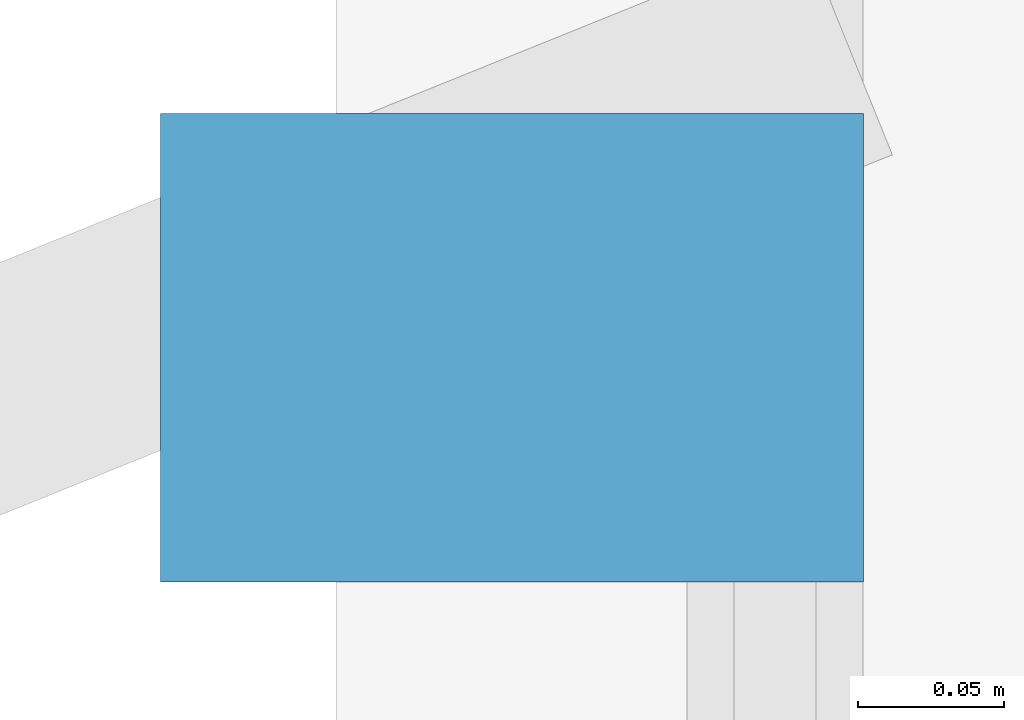
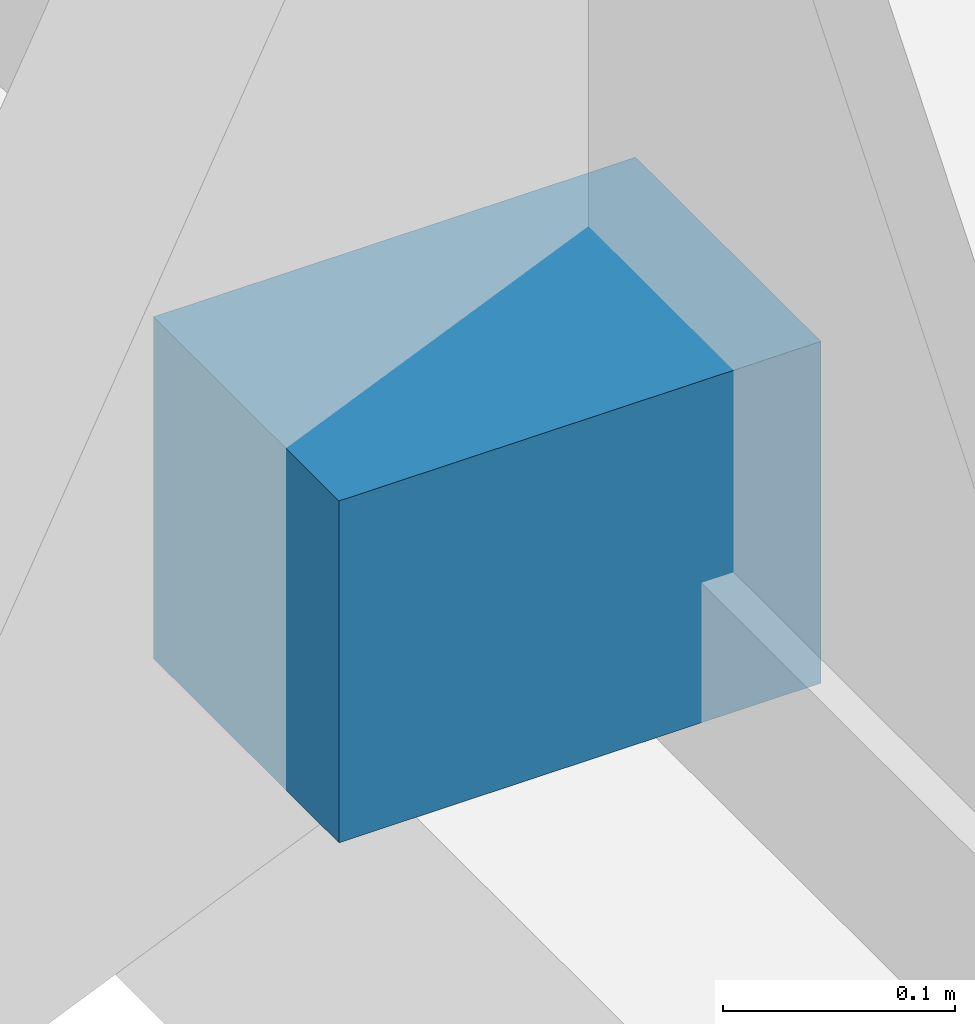
# One storey, part 27 of 29: 1 discrete accessory.
"""IFC4 building model written with IfcOpenShell, lengths in metres."""

from ifc_helpers import new_model, si_unit, direction, frame, origin, origin_2d, place, context, subcontext, project, spatial, rectangle, extrude, material, type_object, element, save


model = new_model("IFC4")

# Units and contexts
model_context = context("Model", 3, precision=1e-05, world=origin(), true_north=direction((0.0, 1.0)))
body_context = subcontext(model_context, "Body", "Model", "MODEL_VIEW")
ifc_project = project(units=[si_unit("LENGTHUNIT", "METRE"), si_unit("AREAUNIT", "SQUARE_METRE"), si_unit("VOLUMEUNIT", "CUBIC_METRE"), si_unit("PLANEANGLEUNIT", "RADIAN"), si_unit("MASSUNIT", "GRAM", prefix="KILO")], contexts=[model_context])

# Site, building, storey
site_placement = place(None, origin())
site = spatial("IfcSite", under=ifc_project, at=site_placement, CompositionType="ELEMENT")
building_placement = place(site_placement, origin())
building = spatial("IfcBuilding", under=site, at=building_placement, Name="Calvorn Quay Hotel", CompositionType="ELEMENT")
storey_placement = place(building_placement, frame((0.0, 0.0, 148.5)))
storey = spatial("IfcBuildingStorey", under=building, at=storey_placement, Name="L36", CompositionType="ELEMENT", Elevation=148.5)

# Discrete accessory
ifc_material = material(Name="Steel Q355B", Category="steel")
discrete_accessory_type = type_object("IfcDiscreteAccessoryType", Name="ACC-FIN-BRACKET", PredefinedType="BRACKET", material=ifc_material)
discrete_accessory_placement = place(storey_placement, frame((0.06005859375, 37.25, 0.0302734375), z_axis=(0.0, 0.0, 1.0), x_axis=(1.0, 0.0, 0.0)))
element("IfcDiscreteAccessory", 1, at=discrete_accessory_placement, inside=storey, type_object=discrete_accessory_type, Name="Fin Anchor Bracket L36-W03", PredefinedType="BRACKET", context=body_context, shape_type="SweptSolid", body=[
    extrude(rectangle(XDim=0.239990234375, YDim=0.159912109375, at=origin_2d()), origin(), (0.0, 0.0, 1.0), 0.179931640625),
])

save(model, "model.ifc")
